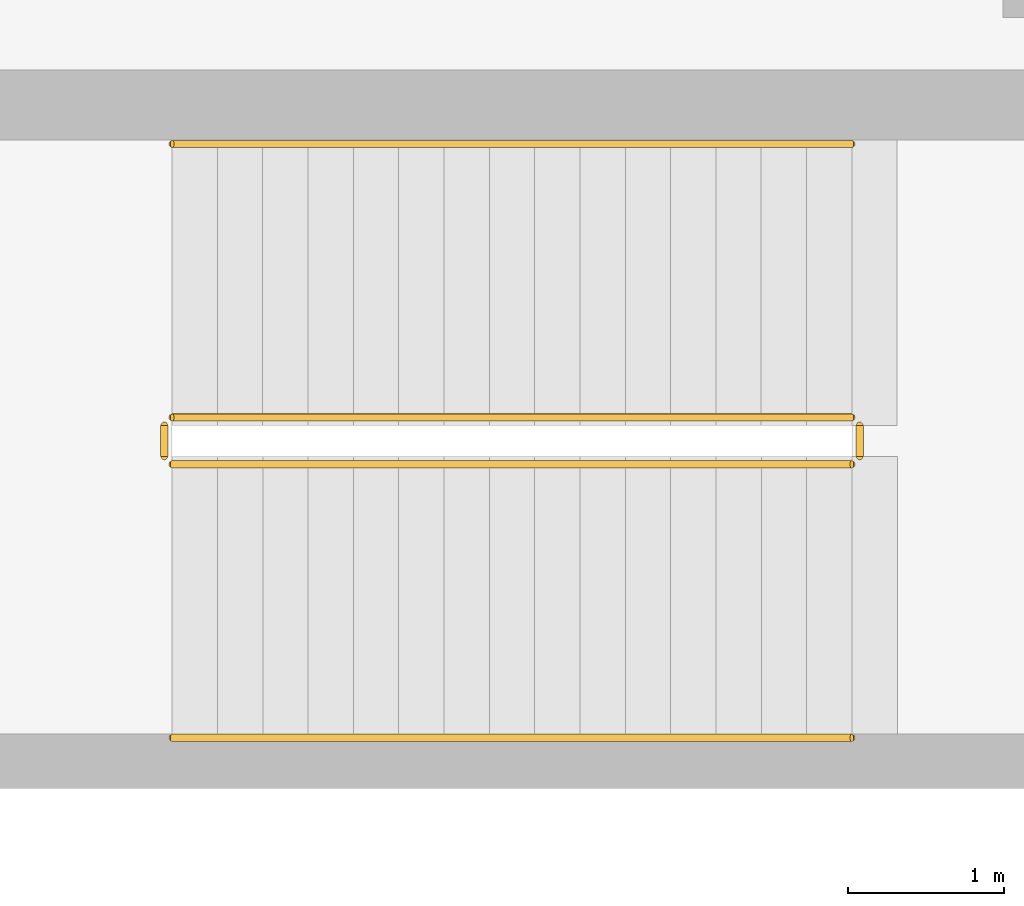
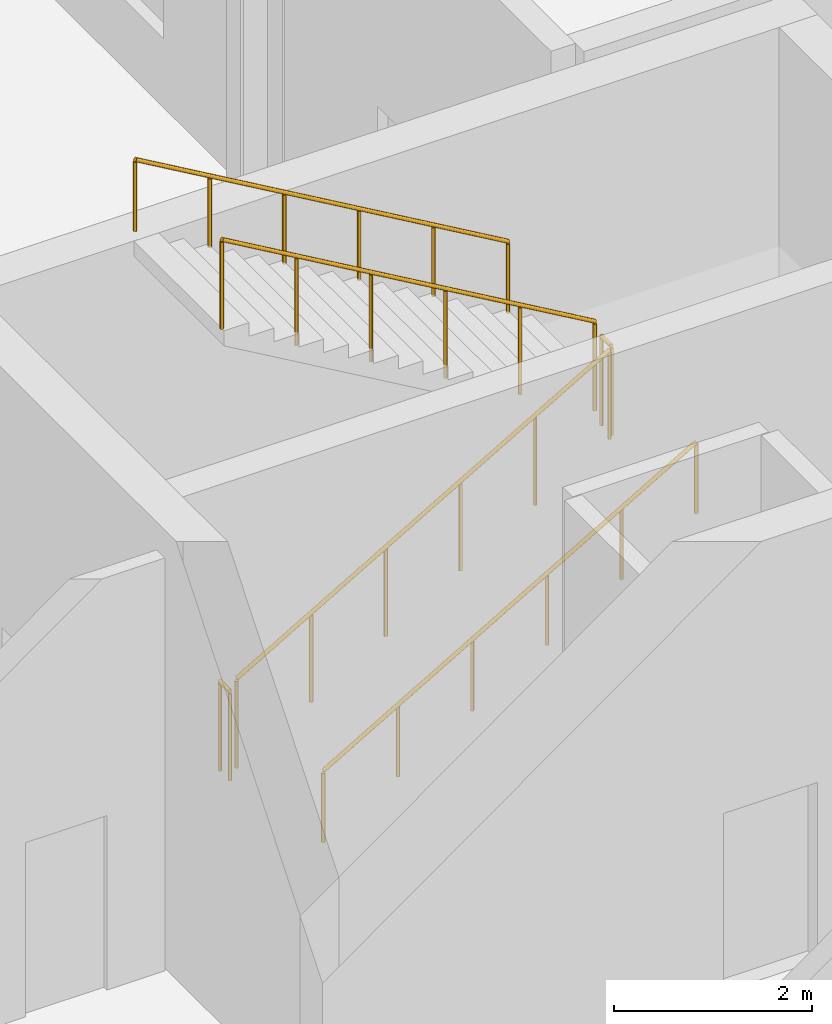
# One storey, part 84 of 94: 6 railings.
"""IFC4 building model written with IfcOpenShell, lengths in metres."""

from ifc_helpers import new_model, si_unit, direction, frame, origin, origin_2d, place, context, subcontext, project, spatial, circle, extrude, material, type_object, element, save


model = new_model("IFC4")

# Units and contexts
model_context = context("Model", 3, precision=1e-05, world=origin(), true_north=direction((0.0, 1.0)))
body_context = subcontext(model_context, "Body", "Model", "MODEL_VIEW")
ifc_project = project(units=[si_unit("LENGTHUNIT", "METRE"), si_unit("AREAUNIT", "SQUARE_METRE"), si_unit("VOLUMEUNIT", "CUBIC_METRE"), si_unit("PLANEANGLEUNIT", "RADIAN"), si_unit("MASSUNIT", "GRAM", prefix="KILO")], contexts=[model_context])

# Site, building, storey
site_placement = place(None, origin())
site = spatial("IfcSite", under=ifc_project, at=site_placement, CompositionType="ELEMENT")
building_placement = place(site_placement, origin())
building = spatial("IfcBuilding", under=site, at=building_placement, Name="Sollismere Congress Hotel", CompositionType="ELEMENT")
storey_placement = place(building_placement, origin())
storey = spatial("IfcBuildingStorey", under=building, at=storey_placement, Name="L00", CompositionType="ELEMENT", Elevation=0.0)

# Railings
ifc_material_1 = material(Name="Steel ASTM A500 Grade C", Category="steel")
railing_type_1 = type_object("IfcRailingType", Name="RL-GRD112", PredefinedType="GUARDRAIL", material=ifc_material_1)
railing_1_placement = place(storey_placement, frame((52.85009765625, 16.25, 0.168701171875)))
element("IfcRailing", 1, at=railing_1_placement, inside=storey, type_object=railing_type_1, Name="RLG-RG-ST-06-L00-1", PredefinedType="GUARDRAIL", context=body_context, shape_type="SweptSolid", body=[
    extrude(circle(Radius=0.02392578125, at=origin_2d()), frame((0.0, 0.0, 1.09619140625), z_axis=(0.864311530196, 0.0, 0.502956835891), x_axis=(0.0, 1.0, 0.0)), (0.0, 0.0, 1.0), 5.03271484375),
    extrude(circle(Radius=0.02099609375, at=origin_2d()), origin(), (0.0, 0.0, 1.0), 1.072021484375),
    extrude(circle(Radius=0.02099609375, at=origin_2d()), frame((0.869873046875, 0.0, 0.50634765625)), (0.0, 0.0, 1.0), 1.072021484375),
    extrude(circle(Radius=0.02099609375, at=origin_2d()), frame((1.739990234375, 0.0, 1.012451171875)), (0.0, 0.0, 1.0), 1.072021484375),
    extrude(circle(Radius=0.02099609375, at=origin_2d()), frame((2.60986328125, 0.0, 1.518798828125)), (0.0, 0.0, 1.0), 1.072021484375),
    extrude(circle(Radius=0.02099609375, at=origin_2d()), frame((3.47998046875, 0.0, 2.02490234375)), (0.0, 0.0, 1.0), 1.072021484375),
    extrude(circle(Radius=0.02099609375, at=origin_2d()), frame((4.349853515625, 0.0, 2.53125)), (0.0, 0.0, 1.0), 1.072021484375),
])
railing_2_placement = place(storey_placement, frame((57.25, 16.300048828125, 2.699951171875)))
element("IfcRailing", 2, at=railing_2_placement, inside=storey, type_object=railing_type_1, Name="RLG-RG-ST-06-L00-2", PredefinedType="GUARDRAIL", context=body_context, shape_type="SweptSolid", body=[
    extrude(circle(Radius=0.02392578125, at=origin_2d()), frame((0.0, 0.0, 1.09619140625), z_axis=(0.0, 1.0, 0.0), x_axis=(-1.0, 0.0, 0.0)), (0.0, 0.0, 1.0), 0.199951171875),
    extrude(circle(Radius=0.02099609375, at=origin_2d()), origin(), (0.0, 0.0, 1.0), 1.072021484375),
    extrude(circle(Radius=0.02099609375, at=origin_2d()), frame((0.0, 0.199951171875, 0.0)), (0.0, 0.0, 1.0), 1.072021484375),
])
railing_3_placement = place(storey_placement, frame((57.199951171875, 16.550048828125, 2.86865234375)))
element("IfcRailing", 3, at=railing_3_placement, inside=storey, type_object=railing_type_1, Name="RLG-RG-ST-06-L00-3", PredefinedType="GUARDRAIL", context=body_context, shape_type="SweptSolid", body=[
    extrude(circle(Radius=0.02392578125, at=origin_2d()), frame((0.0, 0.0, 1.09619140625), z_axis=(-0.864311530196, 0.0, 0.502956835891), x_axis=(0.0, -1.0, 0.0)), (0.0, 0.0, 1.0), 5.03271484375),
    extrude(circle(Radius=0.02099609375, at=origin_2d()), origin(), (0.0, 0.0, 1.0), 1.072021484375),
    extrude(circle(Radius=0.02099609375, at=origin_2d()), frame((-0.869873046875, 0.0, 0.50634765625)), (0.0, 0.0, 1.0), 1.072021484375),
    extrude(circle(Radius=0.02099609375, at=origin_2d()), frame((-1.739990234375, 0.0, 1.012451171875)), (0.0, 0.0, 1.0), 1.072021484375),
    extrude(circle(Radius=0.02099609375, at=origin_2d()), frame((-2.60986328125, 0.0, 1.518798828125)), (0.0, 0.0, 1.0), 1.072021484375),
    extrude(circle(Radius=0.02099609375, at=origin_2d()), frame((-3.47998046875, 0.0, 2.02490234375)), (0.0, 0.0, 1.0), 1.072021484375),
    extrude(circle(Radius=0.02099609375, at=origin_2d()), frame((-4.349853515625, 0.0, 2.53125)), (0.0, 0.0, 1.0), 1.072021484375),
])
railing_4_placement = place(storey_placement, frame((52.800048828125, 16.300048828125, 0.0)))
element("IfcRailing", 4, at=railing_4_placement, inside=storey, type_object=railing_type_1, Name="RLG-RG-ST-06-L00-4", PredefinedType="GUARDRAIL", context=body_context, shape_type="SweptSolid", body=[
    extrude(circle(Radius=0.02392578125, at=origin_2d()), frame((0.0, 0.0, 1.09619140625), z_axis=(0.0, 1.0, 0.0), x_axis=(-1.0, 0.0, 0.0)), (0.0, 0.0, 1.0), 0.199951171875),
    extrude(circle(Radius=0.02099609375, at=origin_2d()), origin(), (0.0, 0.0, 1.0), 1.072021484375),
    extrude(circle(Radius=0.02099609375, at=origin_2d()), frame((0.0, 0.199951171875, 0.0)), (0.0, 0.0, 1.0), 1.072021484375),
])
ifc_material_2 = material(Name="Brushed Architectural Bronze")
railing_type_2 = type_object("IfcRailingType", Name="RL-HND90", PredefinedType="HANDRAIL", material=ifc_material_2)
railing_5_placement = place(storey_placement, frame((52.85009765625, 14.5, 0.3134765625)))
element("IfcRailing", 5, at=railing_5_placement, inside=storey, type_object=railing_type_2, Name="RLG-RH-ST-06-L00-1", PredefinedType="HANDRAIL", context=body_context, shape_type="SweptSolid", body=[
    extrude(circle(Radius=0.02392578125, at=origin_2d()), frame((0.0, 0.0, 0.8759765625), z_axis=(0.864311530196, 0.0, 0.502956835891), x_axis=(0.0, 1.0, 0.0)), (0.0, 0.0, 1.0), 5.03271484375),
    extrude(circle(Radius=0.02099609375, at=origin_2d()), origin(), (0.0, 0.0, 1.0), 0.851806640625),
    extrude(circle(Radius=0.02099609375, at=origin_2d()), frame((0.869873046875, 0.0, 0.50634765625)), (0.0, 0.0, 1.0), 0.851806640625),
    extrude(circle(Radius=0.02099609375, at=origin_2d()), frame((1.739990234375, 0.0, 1.012451171875)), (0.0, 0.0, 1.0), 0.851806640625),
    extrude(circle(Radius=0.02099609375, at=origin_2d()), frame((2.60986328125, 0.0, 1.518798828125)), (0.0, 0.0, 1.0), 0.851806640625),
    extrude(circle(Radius=0.02099609375, at=origin_2d()), frame((3.47998046875, 0.0, 2.02490234375)), (0.0, 0.0, 1.0), 0.851806640625),
    extrude(circle(Radius=0.02099609375, at=origin_2d()), frame((4.349853515625, 0.0, 2.53125)), (0.0, 0.0, 1.0), 0.851806640625),
])
railing_6_placement = place(storey_placement, frame((57.199951171875, 18.300048828125, 3.013427734375)))
element("IfcRailing", 6, at=railing_6_placement, inside=storey, type_object=railing_type_2, Name="RLG-RH-ST-06-L00-2", PredefinedType="HANDRAIL", context=body_context, shape_type="SweptSolid", body=[
    extrude(circle(Radius=0.02392578125, at=origin_2d()), frame((0.0, 0.0, 0.8759765625), z_axis=(-0.864311530196, 0.0, 0.502956835891), x_axis=(0.0, -1.0, 0.0)), (0.0, 0.0, 1.0), 5.03271484375),
    extrude(circle(Radius=0.02099609375, at=origin_2d()), origin(), (0.0, 0.0, 1.0), 0.851806640625),
    extrude(circle(Radius=0.02099609375, at=origin_2d()), frame((-0.869873046875, 0.0, 0.50634765625)), (0.0, 0.0, 1.0), 0.851806640625),
    extrude(circle(Radius=0.02099609375, at=origin_2d()), frame((-1.739990234375, 0.0, 1.012451171875)), (0.0, 0.0, 1.0), 0.851806640625),
    extrude(circle(Radius=0.02099609375, at=origin_2d()), frame((-2.60986328125, 0.0, 1.518798828125)), (0.0, 0.0, 1.0), 0.851806640625),
    extrude(circle(Radius=0.02099609375, at=origin_2d()), frame((-3.47998046875, 0.0, 2.02490234375)), (0.0, 0.0, 1.0), 0.851806640625),
    extrude(circle(Radius=0.02099609375, at=origin_2d()), frame((-4.349853515625, 0.0, 2.53125)), (0.0, 0.0, 1.0), 0.851806640625),
])

save(model, "model.ifc")
